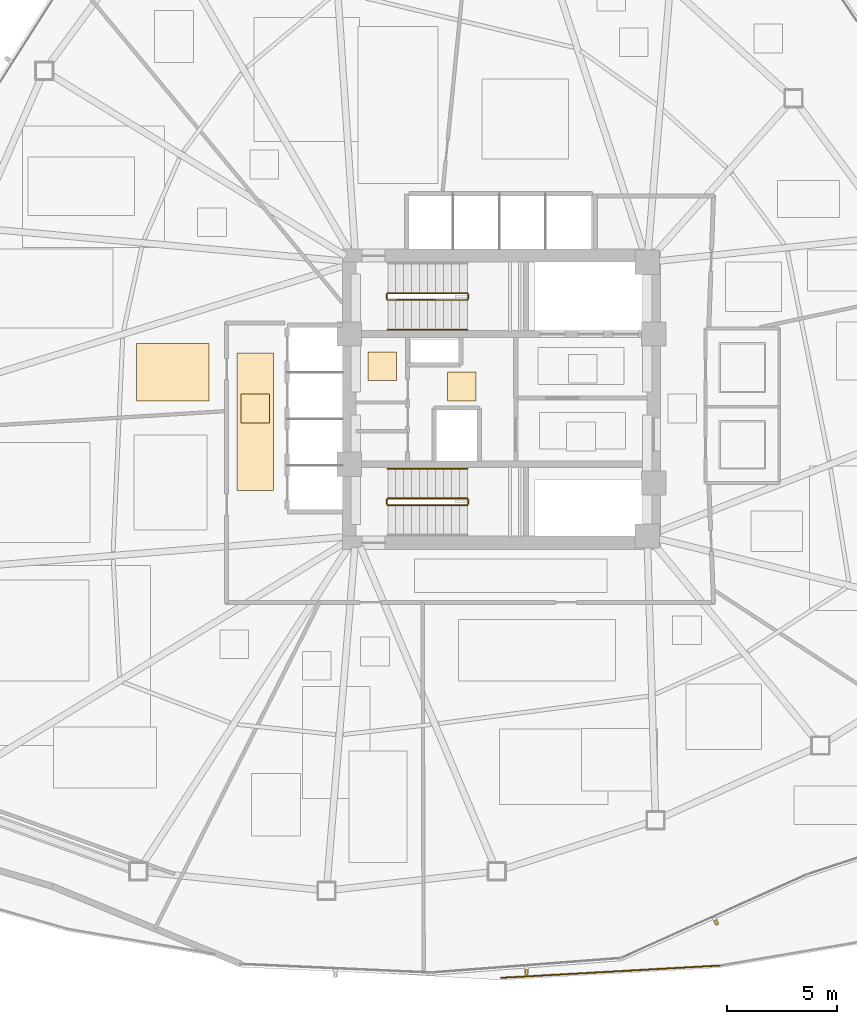
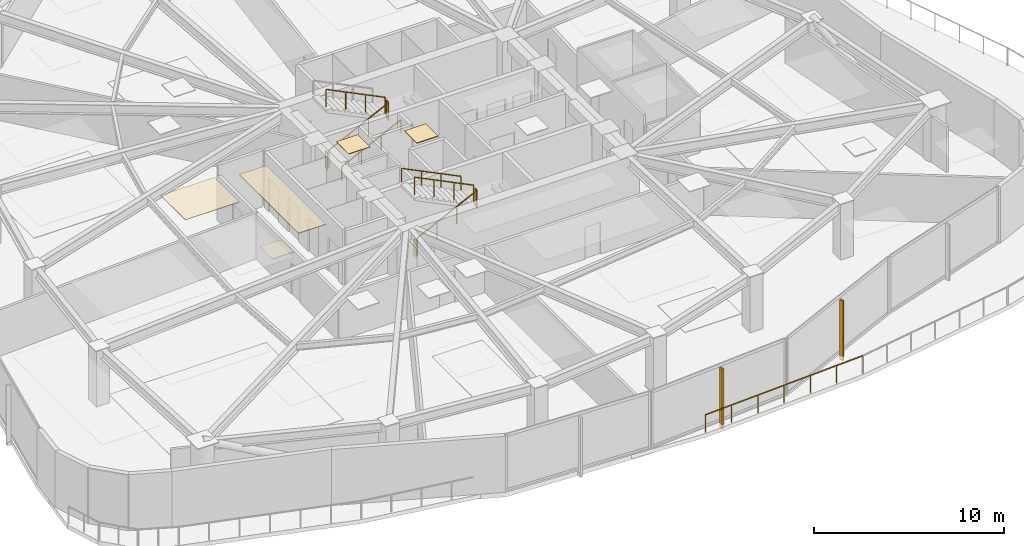
# One storey, part 15 of 19: 11 railings, 5 coverings, 2 shading devices.
"""IFC4 building model written with IfcOpenShell, lengths in metres."""

import ifcopenshell
import ifcopenshell.guid

model = None  # the IFC model being written
_history = None  # IfcOwnerHistory: only IFC2X3 demands one
_inside = {}  # id of a spatial element -> (the spatial element, [elements in it])
_under = {}  # id of a project, library or spatial element -> (it, [spatial elements below it])
_declared = {}  # id of a project -> (the project, [libraries it declares])
_typed = {}  # id of a type object -> (the type object, [elements of that type])
_made_of = {}  # id of a material, layer set ... -> (it, [elements and type objects made of it])


def new_model(schema):
    """Start an empty IFC model of exactly this schema.

    Asked for "IFC4X3", IfcOpenShell would pick the latest addendum, in which some entities
    have other attributes; the version numbers below select the first issue.
    IFC2X3 requires an IfcOwnerHistory on every rooted entity: one is made here for all.
    """
    global model, _history
    if schema == "IFC4X3":
        model = ifcopenshell.file(schema_version=(4, 3, 0, 0))
    else:
        model = ifcopenshell.file(schema=schema)
    _inside.clear()
    _under.clear()
    _declared.clear()
    _typed.clear()
    _made_of.clear()
    _history = None
    if model.schema == "IFC2X3":
        org = make("IfcOrganization", Name="unknown")
        user = make(
            "IfcPersonAndOrganization",
            ThePerson=make("IfcPerson", FamilyName="unknown"),
            TheOrganization=org,
        )
        app = make(
            "IfcApplication",
            ApplicationDeveloper=org,
            Version="unknown",
            ApplicationFullName="unknown",
            ApplicationIdentifier="unknown",
        )
        _history = make(
            "IfcOwnerHistory",
            OwningUser=user,
            OwningApplication=app,
            ChangeAction="ADDED",
            CreationDate=0,
        )
    return model


def make(cls, **values):
    """One entity of the class cls with the attributes given. An attribute that is None is left unset."""
    return model.create_entity(
        cls, **{name: value for name, value in values.items() if value is not None}
    )


def rooted(cls, **values):
    """An entity with a GlobalId (a new one), such as an element, a storey or a relation."""
    return make(cls, GlobalId=ifcopenshell.guid.new(), OwnerHistory=_history, **values)


def si_unit(unit_type, name, prefix=None):
    """IfcSIUnit, for example si_unit("LENGTHUNIT", "METRE", prefix="MILLI")."""
    return make("IfcSIUnit", UnitType=unit_type, Prefix=prefix, Name=name)


def assignment(units):
    """IfcUnitAssignment: the units of a project."""
    return None if units is None else make("IfcUnitAssignment", Units=units)


def point(xyz):
    """IfcCartesianPoint."""
    return None if xyz is None else make("IfcCartesianPoint", Coordinates=xyz)


def direction(xyz):
    """IfcDirection."""
    return None if xyz is None else make("IfcDirection", DirectionRatios=xyz)


def frame(location, z_axis=None, x_axis=None):
    """IfcAxis2Placement3D, a coordinate frame: its origin and axes. An axis left out is left unset."""
    return make(
        "IfcAxis2Placement3D",
        Location=point(location),
        Axis=direction(z_axis),
        RefDirection=direction(x_axis),
    )


def frame_2d(location, x_axis=None):
    """IfcAxis2Placement2D, a coordinate frame in the plane: its origin and x axis."""
    return make(
        "IfcAxis2Placement2D", Location=point(location), RefDirection=direction(x_axis)
    )


def origin():
    """The frame at (0, 0, 0) with its axes left unset."""
    return frame((0.0, 0.0, 0.0))


def origin_2d():
    """The frame at (0, 0) in the plane with its x axis left unset."""
    return frame_2d((0.0, 0.0))


def place(relative_to, where):
    """IfcLocalPlacement: puts the frame where relative to a parent placement (None: the world)."""
    return make(
        "IfcLocalPlacement", PlacementRelTo=relative_to, RelativePlacement=where
    )


def context(
    kind, dimensions, precision=None, world=None, true_north=None, identifier=None
):
    """IfcGeometricRepresentationContext, for example the 3D "Model" context."""
    return make(
        "IfcGeometricRepresentationContext",
        ContextIdentifier=identifier,
        ContextType=kind,
        CoordinateSpaceDimension=dimensions,
        Precision=precision,
        WorldCoordinateSystem=world,
        TrueNorth=true_north,
    )


def subcontext(parent, identifier, kind, view, scale=None):
    """IfcGeometricRepresentationSubContext, for example "Body" below "Model"."""
    return make(
        "IfcGeometricRepresentationSubContext",
        ContextIdentifier=identifier,
        ContextType=kind,
        ParentContext=parent,
        TargetScale=scale,
        TargetView=view,
    )


def project(units=None, contexts=None):
    """IfcProject with its units and contexts."""
    return rooted(
        "IfcProject",
        Name="project",
        RepresentationContexts=contexts,
        UnitsInContext=assignment(units),
    )


def spatial(cls, under=None, at=None, **own):
    """A site, building, storey or space (cls), placed at a placement, below another one or the project."""
    s = rooted(cls, ObjectPlacement=at, **own)
    if under is not None:
        _under.setdefault(under.id(), (under, []))[1].append(s)
    return s


def polyline(points):
    """IfcPolyline through the points."""
    return make("IfcPolyline", Points=[point(p) for p in points])


def profile(cls, at=None, kind="AREA", **sizes):
    """A parametric profile (cls). Its sizes go by their IFC names, for example OverallWidth=200.0."""
    return make(cls, ProfileType=kind, Position=at, **sizes)


def rectangle(**sizes):
    """IfcRectangleProfileDef."""
    return profile("IfcRectangleProfileDef", **sizes)


def outline(outer, holes=None, kind="AREA"):
    """IfcArbitraryClosedProfileDef: a profile drawn as a closed curve; with holes, ...WithVoids."""
    if holes is None:
        return make("IfcArbitraryClosedProfileDef", ProfileType=kind, OuterCurve=outer)
    return make(
        "IfcArbitraryProfileDefWithVoids",
        ProfileType=kind,
        OuterCurve=outer,
        InnerCurves=holes,
    )


def extrude(swept, where, along, depth):
    """IfcExtrudedAreaSolid: the profile swept, set in the frame where, extruded along a direction by depth."""
    return make(
        "IfcExtrudedAreaSolid",
        SweptArea=swept,
        Position=where,
        ExtrudedDirection=direction(along),
        Depth=depth,
    )


def shape(context_of_items, identifier, shape_type, items):
    """IfcShapeRepresentation: the items that make up one representation, for example the "Body"."""
    return make(
        "IfcShapeRepresentation",
        ContextOfItems=context_of_items,
        RepresentationIdentifier=identifier,
        RepresentationType=shape_type,
        Items=items,
    )


def source(mapping_origin, context_of_items, identifier, shape_type, items):
    """IfcRepresentationMap: a shape defined once, which mapped items show again and again."""
    return make(
        "IfcRepresentationMap",
        MappingOrigin=mapping_origin,
        MappedRepresentation=shape(context_of_items, identifier, shape_type, items),
    )


def transform(
    local_origin,
    x_axis=None,
    y_axis=None,
    z_axis=None,
    scale=None,
    scale2=None,
    scale3=None,
    uniform=True,
):
    """IfcCartesianTransformationOperator3D, or its non-uniform kind. x_axis, y_axis, z_axis: its Axis1, 2, 3."""
    if uniform:
        return make(
            "IfcCartesianTransformationOperator3D",
            Axis1=direction(x_axis),
            Axis2=direction(y_axis),
            LocalOrigin=point(local_origin),
            Scale=scale,
            Axis3=direction(z_axis),
        )
    return make(
        "IfcCartesianTransformationOperator3DnonUniform",
        Axis1=direction(x_axis),
        Axis2=direction(y_axis),
        LocalOrigin=point(local_origin),
        Scale=scale,
        Axis3=direction(z_axis),
        Scale2=scale2,
        Scale3=scale3,
    )


def mapped(mapping_source, mapping_target):
    """IfcMappedItem: shows the shape of a source again, moved by a transform."""
    return make(
        "IfcMappedItem", MappingSource=mapping_source, MappingTarget=mapping_target
    )


def material(Name=None, Category=None):
    """IfcMaterial."""
    return make("IfcMaterial", Name=Name, Category=Category)


def layer(
    of_material, thickness, ventilated=None, Name=None, Category=None, Priority=None
):
    """IfcMaterialLayer: one layer of a wall or slab, of a material (None: an air gap)."""
    return make(
        "IfcMaterialLayer",
        Material=of_material,
        LayerThickness=thickness,
        IsVentilated=ventilated,
        Name=Name,
        Category=Category,
        Priority=Priority,
    )


def layer_set(layers, Name=None):
    """IfcMaterialLayerSet."""
    return make("IfcMaterialLayerSet", MaterialLayers=layers, LayerSetName=Name)


def made_of(thing, what):
    """Note that an element or type object is made of a material, layer set ...; save() writes the relation."""
    if what is not None:
        _made_of.setdefault(what.id(), (what, []))[1].append(thing)
    return thing


def type_object(cls, material=None, **own):
    """A type object (cls), such as IfcWallType, which elements share."""
    return made_of(rooted(cls, **own), material)


def type_shapes(of_type, sources):
    """Give a type object the sources (RepresentationMaps) that its elements show as mapped items."""
    of_type.RepresentationMaps = sources


def element(
    cls,
    number,
    at=None,
    inside=None,
    cuts=None,
    type_object=None,
    material=None,
    context=None,
    identifier="Body",
    shape_type=None,
    held_by="IfcProductDefinitionShape",
    body=None,
    shapes=None,
    **own,
):
    """One element of the class cls, such as IfcWall. Its Tag is "e" and its number.

    at: its placement. inside: the storey or other place that contains it. cuts: it is an
    opening in that element (IfcRelVoidsElement). A single representation is given by context,
    identifier, shape_type and body (its items); several are given by shapes. held_by: the class
    of the entity that holds the representations. save() writes the other relations.
    """
    e = rooted(cls, Tag="e%d" % number, ObjectPlacement=at, **own)
    if body is not None:
        shapes = [shape(context, identifier, shape_type, body)]
    if shapes is not None:
        e.Representation = make(held_by, Representations=shapes)
    if inside is not None:
        _inside.setdefault(inside.id(), (inside, []))[1].append(e)
    if cuts is not None:
        rooted(
            "IfcRelVoidsElement", RelatingBuildingElement=cuts, RelatedOpeningElement=e
        )
    if type_object is not None:
        _typed.setdefault(type_object.id(), (type_object, []))[1].append(e)
    return made_of(e, material)


def aggregate(whole, parts):
    """IfcRelAggregates: a whole, such as a stair, and the parts it consists of."""
    return rooted("IfcRelAggregates", RelatingObject=whole, RelatedObjects=parts)


def save(model, path):
    """Write the relations noted so far, then the file.

    IfcRelAggregates (storeys below a building ...), IfcRelContainedInSpatialStructure (elements
    in a storey), IfcRelDefinesByType, IfcRelAssociatesMaterial and IfcRelDeclares: one each for
    every whole, place, type object, material and project.
    """
    for whole, parts in _under.values():
        aggregate(whole, parts)
    for where, things in _inside.values():
        rooted(
            "IfcRelContainedInSpatialStructure",
            RelatedElements=things,
            RelatingStructure=where,
        )
    for kind, things in _typed.values():
        rooted("IfcRelDefinesByType", RelatedObjects=things, RelatingType=kind)
    for what, things in _made_of.values():
        rooted("IfcRelAssociatesMaterial", RelatedObjects=things, RelatingMaterial=what)
    for by, libraries in _declared.values():
        rooted("IfcRelDeclares", RelatingContext=by, RelatedDefinitions=libraries)
    model.write(path)


model = new_model("IFC4")

# Units and contexts
model_context = context("Model", 3, precision=1e-05, world=origin(), true_north=direction((0.0, 1.0)))
body_context = subcontext(model_context, "Body", "Model", "MODEL_VIEW")
ifc_project = project(units=[si_unit("LENGTHUNIT", "METRE"), si_unit("AREAUNIT", "SQUARE_METRE"), si_unit("VOLUMEUNIT", "CUBIC_METRE"), si_unit("PLANEANGLEUNIT", "RADIAN"), si_unit("MASSUNIT", "GRAM", prefix="KILO")], contexts=[model_context])

# Site, building, storey
site_placement = place(None, origin())
site = spatial("IfcSite", under=ifc_project, at=site_placement, CompositionType="ELEMENT")
building_placement = place(site_placement, origin())
building = spatial("IfcBuilding", under=site, at=building_placement, Name="Tavelor Broadcast Tower", CompositionType="ELEMENT")
storey_placement = place(building_placement, frame((0.0, 0.0, 27.60009765625)))
storey = spatial("IfcBuildingStorey", under=building, at=storey_placement, Name="L05", CompositionType="ELEMENT", Elevation=27.60009765625)

# Covering
ifc_material_1 = material(Name="Copper-Bronze Anodized Aluminium", Category="aluminium")
ifc_layer_1 = layer(ifc_material_1, 0.044921875)
ifc_layer_set_1 = layer_set([ifc_layer_1], Name="Copper-Bronze Anodized Aluminium")
covering_type_1 = type_object("IfcCoveringType", Name="Anodised Bronze Linear Slatted Concourse Ceiling 45 mm", PredefinedType="CEILING", material=ifc_layer_set_1)
covering_1_placement = place(storey_placement, frame((0.0, 0.0, 3.554931640625)))
element("IfcCovering", 1, at=covering_1_placement, inside=storey, type_object=covering_type_1, Name="L05 Suspended Acoustic Ceiling 0121", PredefinedType="CEILING", context=body_context, shape_type="SweptSolid", body=[
    extrude(outline(polyline([(38.01611328125, 40.868896484375), (39.683837890625, 40.868896484375), (39.683837890625, 47.096923828125), (38.01611328125, 47.096923828125), (38.01611328125, 40.868896484375)])), origin(), (0.0, 0.0, 1.0), 0.044921875),
])

# Railings
ifc_material_2 = material(Name="Steel S355", Category="steel")
railing_type_1 = type_object("IfcRailingType", Name="Continuous Brushed Stainless Handrail 900 mm", PredefinedType="HANDRAIL", material=ifc_material_2)
railing_1_placement = place(storey_placement, frame((44.85009765625, 48.14990234375, 0.17724609375)))
element("IfcRailing", 2, at=railing_1_placement, inside=storey, type_object=railing_type_1, Name="L05 ST1 stair handrail 1", PredefinedType="HANDRAIL", context=body_context, shape_type="SweptSolid", body=[
    extrude(rectangle(XDim=0.048095703125, YDim=0.048095703125, at=origin_2d()), frame((0.0, 0.0, 0.8759765625), z_axis=(0.897124305991, 0.0, 0.441778201817), x_axis=(0.0, 1.0, 0.0)), (0.0, 0.0, 1.0), 4.0126953125),
    extrude(rectangle(XDim=0.0419921875, YDim=0.0419921875, at=origin_2d()), origin(), (0.0, 0.0, 1.0), 0.851806640625),
    extrude(rectangle(XDim=0.0419921875, YDim=0.0419921875, at=origin_2d()), frame((1.199951171875, 0.0, 0.5908203125)), (0.0, 0.0, 1.0), 0.851806640625),
    extrude(rectangle(XDim=0.0419921875, YDim=0.0419921875, at=origin_2d()), frame((2.39990234375, 0.0, 1.181884765625)), (0.0, 0.0, 1.0), 0.851806640625),
    extrude(rectangle(XDim=0.0419921875, YDim=0.0419921875, at=origin_2d()), frame((3.599853515625, 0.0, 1.772705078125)), (0.0, 0.0, 1.0), 0.851806640625),
])
railing_2_placement = place(storey_placement, frame((48.449951171875, 41.85009765625, 2.127197265625)))
element("IfcRailing", 3, at=railing_2_placement, inside=storey, type_object=railing_type_1, Name="L05 ST2 stair handrail 2", PredefinedType="HANDRAIL", context=body_context, shape_type="SweptSolid", body=[
    extrude(rectangle(XDim=0.048095703125, YDim=0.048095703125, at=origin_2d()), frame((0.0, 0.0, 0.8759765625), z_axis=(-0.897124305991, 0.0, 0.441778201817), x_axis=(0.0, -1.0, 0.0)), (0.0, 0.0, 1.0), 4.0126953125),
    extrude(rectangle(XDim=0.0419921875, YDim=0.0419921875, at=origin_2d()), origin(), (0.0, 0.0, 1.0), 0.851806640625),
    extrude(rectangle(XDim=0.0419921875, YDim=0.0419921875, at=origin_2d()), frame((-1.199951171875, 0.0, 0.5908203125)), (0.0, 0.0, 1.0), 0.851806640625),
    extrude(rectangle(XDim=0.0419921875, YDim=0.0419921875, at=origin_2d()), frame((-2.39990234375, 0.0, 1.181884765625)), (0.0, 0.0, 1.0), 0.851806640625),
    extrude(rectangle(XDim=0.0419921875, YDim=0.0419921875, at=origin_2d()), frame((-3.599853515625, 0.0, 1.772705078125)), (0.0, 0.0, 1.0), 0.851806640625),
])

# Coverings
ifc_material_3 = material(Name="Honed Natural Limestone Tile", Category="masonry")
ifc_layer_2 = layer(ifc_material_3, 0.030029296875)
ifc_layer_set_2 = layer_set([ifc_layer_2], Name="Honed Natural Limestone Tile")
covering_type_2 = type_object("IfcCoveringType", Name="Honed Jerusalem Limestone Concourse Flooring 30 mm", PredefinedType="FLOORING", material=ifc_layer_set_2)
covering_2_placement = place(storey_placement, origin())
element("IfcCovering", 4, at=covering_2_placement, inside=storey, type_object=covering_type_2, Name="L05 Broadcast Floor Finish 0052", PredefinedType="FLOORING", context=body_context, shape_type="SweptSolid", body=[
    extrude(outline(polyline([(38.199951171875, 43.925048828125), (39.5, 43.925048828125), (39.5, 45.22509765625), (38.199951171875, 45.22509765625), (38.199951171875, 43.925048828125)])), origin(), (0.0, 0.0, 1.0), 0.02978515625),
])
ifc_material_4 = material(Name="Architectural Anodized Aluminium", Category="aluminium")
ifc_layer_3 = layer(ifc_material_4, 0.030029296875)
ifc_layer_set_3 = layer_set([ifc_layer_3], Name="Architectural Anodized Aluminium")
covering_type_3 = type_object("IfcCoveringType", Name="Moisture-Resistant Washroom Ceiling 30 mm", PredefinedType="CEILING", material=ifc_layer_set_3)
covering_3_placement = place(storey_placement, frame((0.0, 0.0, 3.56982421875)))
element("IfcCovering", 5, at=covering_3_placement, inside=storey, type_object=covering_type_3, Name="L05 Suspended Acoustic Ceiling 0118", PredefinedType="CEILING", context=body_context, shape_type="SweptSolid", body=[
    extrude(outline(polyline([(43.951416015625, 45.843017578125), (45.25146484375, 45.843017578125), (45.25146484375, 47.14306640625), (43.951416015625, 47.14306640625), (43.951416015625, 45.843017578125)])), origin(), (0.0, 0.0, 1.0), 0.030029296875),
])

# Railings
railing_type_2 = type_object("IfcRailingType", Name="Planted Terrace Laminated Glass Balustrade 1150 mm", PredefinedType="BALUSTRADE", material=ifc_material_2)
railing_3_placement = place(storey_placement, frame((49.994384765625, 18.79296875, 0.0)))
element("IfcRailing", 6, at=railing_3_placement, inside=storey, type_object=railing_type_2, Name="L05 Cascading Garden Terrace 1 Balustrade #124", PredefinedType="BALUSTRADE", context=body_context, shape_type="SweptSolid", body=[
    extrude(rectangle(XDim=0.048095703125, YDim=0.048095703125, at=origin_2d()), frame((0.0, 0.0, 1.1259765625), z_axis=(0.998425425019, 0.056095192973, 0.0), x_axis=(-0.056095192973, 0.998425425019, 0.0)), (0.0, 0.0, 1.0), 9.90576171875),
    extrude(rectangle(XDim=0.0419921875, YDim=0.0419921875, at=origin_2d()), origin(), (0.0, 0.0, 1.0), 1.101806640625),
    extrude(rectangle(XDim=0.0419921875, YDim=0.0419921875, at=origin_2d()), frame((1.6484375, 0.092529296875, 0.0)), (0.0, 0.0, 1.0), 1.101806640625),
    extrude(rectangle(XDim=0.0419921875, YDim=0.0419921875, at=origin_2d()), frame((3.296630859375, 0.185302734375, 0.0)), (0.0, 0.0, 1.0), 1.101806640625),
    extrude(rectangle(XDim=0.0419921875, YDim=0.0419921875, at=origin_2d()), frame((4.945068359375, 0.27783203125, 0.0)), (0.0, 0.0, 1.0), 1.101806640625),
    extrude(rectangle(XDim=0.0419921875, YDim=0.0419921875, at=origin_2d()), frame((6.593505859375, 0.370361328125, 0.0)), (0.0, 0.0, 1.0), 1.101806640625),
    extrude(rectangle(XDim=0.0419921875, YDim=0.0419921875, at=origin_2d()), frame((8.24169921875, 0.463134765625, 0.0)), (0.0, 0.0, 1.0), 1.101806640625),
    extrude(rectangle(XDim=0.0419921875, YDim=0.0419921875, at=origin_2d()), frame((9.89013671875, 0.5556640625, 0.0)), (0.0, 0.0, 1.0), 1.101806640625),
])
railing_type_3 = type_object("IfcRailingType", Name="Stairwell Steel Safety Guardrail 1150 mm", PredefinedType="GUARDRAIL", material=ifc_material_2)
railing_4_placement = place(storey_placement, frame((44.85009765625, 49.5, 0.17724609375)))
element("IfcRailing", 7, at=railing_4_placement, inside=storey, type_object=railing_type_3, Name="L05 ST1 stair guard 1", PredefinedType="GUARDRAIL", context=body_context, shape_type="SweptSolid", body=[
    extrude(rectangle(XDim=0.048095703125, YDim=0.048095703125, at=origin_2d()), frame((0.0, 0.0, 1.1259765625), z_axis=(0.897124305991, 0.0, 0.441778201817), x_axis=(0.0, 1.0, 0.0)), (0.0, 0.0, 1.0), 4.0126953125),
    extrude(rectangle(XDim=0.0419921875, YDim=0.0419921875, at=origin_2d()), origin(), (0.0, 0.0, 1.0), 1.101806640625),
    extrude(rectangle(XDim=0.0419921875, YDim=0.0419921875, at=origin_2d()), frame((1.199951171875, 0.0, 0.5908203125)), (0.0, 0.0, 1.0), 1.101806640625),
    extrude(rectangle(XDim=0.0419921875, YDim=0.0419921875, at=origin_2d()), frame((2.39990234375, 0.0, 1.181884765625)), (0.0, 0.0, 1.0), 1.101806640625),
    extrude(rectangle(XDim=0.0419921875, YDim=0.0419921875, at=origin_2d()), frame((3.599853515625, 0.0, 1.772705078125)), (0.0, 0.0, 1.0), 1.101806640625),
])
railing_5_placement = place(storey_placement, frame((48.5, 49.550048828125, 1.949951171875)))
element("IfcRailing", 8, at=railing_5_placement, inside=storey, type_object=railing_type_3, Name="L05 ST1 stair guard 2", PredefinedType="GUARDRAIL", context=body_context, shape_type="SweptSolid", body=[
    extrude(rectangle(XDim=0.048095703125, YDim=0.048095703125, at=origin_2d()), frame((0.0, 0.0, 1.1259765625), z_axis=(0.0, 1.0, 0.0), x_axis=(-1.0, 0.0, 0.0)), (0.0, 0.0, 1.0), 0.199951171875),
    extrude(rectangle(XDim=0.0419921875, YDim=0.0419921875, at=origin_2d()), origin(), (0.0, 0.0, 1.0), 1.101806640625),
    extrude(rectangle(XDim=0.0419921875, YDim=0.0419921875, at=origin_2d()), frame((0.0, 0.199951171875, 0.0)), (0.0, 0.0, 1.0), 1.101806640625),
])
railing_6_placement = place(storey_placement, frame((48.449951171875, 49.800048828125, 2.127197265625)))
element("IfcRailing", 9, at=railing_6_placement, inside=storey, type_object=railing_type_3, Name="L05 ST1 stair guard 3", PredefinedType="GUARDRAIL", context=body_context, shape_type="SweptSolid", body=[
    extrude(rectangle(XDim=0.048095703125, YDim=0.048095703125, at=origin_2d()), frame((0.0, 0.0, 1.1259765625), z_axis=(-0.897124305991, 0.0, 0.441778201817), x_axis=(0.0, -1.0, 0.0)), (0.0, 0.0, 1.0), 4.0126953125),
    extrude(rectangle(XDim=0.0419921875, YDim=0.0419921875, at=origin_2d()), origin(), (0.0, 0.0, 1.0), 1.101806640625),
    extrude(rectangle(XDim=0.0419921875, YDim=0.0419921875, at=origin_2d()), frame((-1.199951171875, 0.0, 0.5908203125)), (0.0, 0.0, 1.0), 1.101806640625),
    extrude(rectangle(XDim=0.0419921875, YDim=0.0419921875, at=origin_2d()), frame((-2.39990234375, 0.0, 1.181884765625)), (0.0, 0.0, 1.0), 1.101806640625),
    extrude(rectangle(XDim=0.0419921875, YDim=0.0419921875, at=origin_2d()), frame((-3.599853515625, 0.0, 1.772705078125)), (0.0, 0.0, 1.0), 1.101806640625),
])
railing_7_placement = place(storey_placement, frame((44.800048828125, 49.550048828125, 0.0)))
element("IfcRailing", 10, at=railing_7_placement, inside=storey, type_object=railing_type_3, Name="L05 ST1 stair guard 4", PredefinedType="GUARDRAIL", context=body_context, shape_type="SweptSolid", body=[
    extrude(rectangle(XDim=0.048095703125, YDim=0.048095703125, at=origin_2d()), frame((0.0, 0.0, 1.1259765625), z_axis=(0.0, 1.0, 0.0), x_axis=(-1.0, 0.0, 0.0)), (0.0, 0.0, 1.0), 0.199951171875),
    extrude(rectangle(XDim=0.0419921875, YDim=0.0419921875, at=origin_2d()), origin(), (0.0, 0.0, 1.0), 1.101806640625),
    extrude(rectangle(XDim=0.0419921875, YDim=0.0419921875, at=origin_2d()), frame((0.0, 0.199951171875, 0.0)), (0.0, 0.0, 1.0), 1.101806640625),
])
railing_8_placement = place(storey_placement, frame((44.85009765625, 40.199951171875, 0.17724609375)))
element("IfcRailing", 11, at=railing_8_placement, inside=storey, type_object=railing_type_3, Name="L05 ST2 stair guard 1", PredefinedType="GUARDRAIL", context=body_context, shape_type="SweptSolid", body=[
    extrude(rectangle(XDim=0.048095703125, YDim=0.048095703125, at=origin_2d()), frame((0.0, 0.0, 1.1259765625), z_axis=(0.897124305991, 0.0, 0.441778201817), x_axis=(0.0, 1.0, 0.0)), (0.0, 0.0, 1.0), 4.0126953125),
    extrude(rectangle(XDim=0.0419921875, YDim=0.0419921875, at=origin_2d()), origin(), (0.0, 0.0, 1.0), 1.101806640625),
    extrude(rectangle(XDim=0.0419921875, YDim=0.0419921875, at=origin_2d()), frame((1.199951171875, 0.0, 0.5908203125)), (0.0, 0.0, 1.0), 1.101806640625),
    extrude(rectangle(XDim=0.0419921875, YDim=0.0419921875, at=origin_2d()), frame((2.39990234375, 0.0, 1.181884765625)), (0.0, 0.0, 1.0), 1.101806640625),
    extrude(rectangle(XDim=0.0419921875, YDim=0.0419921875, at=origin_2d()), frame((3.599853515625, 0.0, 1.772705078125)), (0.0, 0.0, 1.0), 1.101806640625),
])
railing_9_placement = place(storey_placement, frame((48.5, 40.25, 1.949951171875)))
element("IfcRailing", 12, at=railing_9_placement, inside=storey, type_object=railing_type_3, Name="L05 ST2 stair guard 2", PredefinedType="GUARDRAIL", context=body_context, shape_type="SweptSolid", body=[
    extrude(rectangle(XDim=0.048095703125, YDim=0.048095703125, at=origin_2d()), frame((0.0, 0.0, 1.1259765625), z_axis=(0.0, 1.0, 0.0), x_axis=(-1.0, 0.0, 0.0)), (0.0, 0.0, 1.0), 0.199951171875),
    extrude(rectangle(XDim=0.0419921875, YDim=0.0419921875, at=origin_2d()), origin(), (0.0, 0.0, 1.0), 1.101806640625),
    extrude(rectangle(XDim=0.0419921875, YDim=0.0419921875, at=origin_2d()), frame((0.0, 0.199951171875, 0.0)), (0.0, 0.0, 1.0), 1.101806640625),
])
railing_10_placement = place(storey_placement, frame((48.449951171875, 40.5, 2.127197265625)))
element("IfcRailing", 13, at=railing_10_placement, inside=storey, type_object=railing_type_3, Name="L05 ST2 stair guard 3", PredefinedType="GUARDRAIL", context=body_context, shape_type="SweptSolid", body=[
    extrude(rectangle(XDim=0.048095703125, YDim=0.048095703125, at=origin_2d()), frame((0.0, 0.0, 1.1259765625), z_axis=(-0.897124305991, 0.0, 0.441778201817), x_axis=(0.0, -1.0, 0.0)), (0.0, 0.0, 1.0), 4.0126953125),
    extrude(rectangle(XDim=0.0419921875, YDim=0.0419921875, at=origin_2d()), origin(), (0.0, 0.0, 1.0), 1.101806640625),
    extrude(rectangle(XDim=0.0419921875, YDim=0.0419921875, at=origin_2d()), frame((-1.199951171875, 0.0, 0.5908203125)), (0.0, 0.0, 1.0), 1.101806640625),
    extrude(rectangle(XDim=0.0419921875, YDim=0.0419921875, at=origin_2d()), frame((-2.39990234375, 0.0, 1.181884765625)), (0.0, 0.0, 1.0), 1.101806640625),
    extrude(rectangle(XDim=0.0419921875, YDim=0.0419921875, at=origin_2d()), frame((-3.599853515625, 0.0, 1.772705078125)), (0.0, 0.0, 1.0), 1.101806640625),
])
railing_11_placement = place(storey_placement, frame((44.800048828125, 40.25, 0.0)))
element("IfcRailing", 14, at=railing_11_placement, inside=storey, type_object=railing_type_3, Name="L05 ST2 stair guard 4", PredefinedType="GUARDRAIL", context=body_context, shape_type="SweptSolid", body=[
    extrude(rectangle(XDim=0.048095703125, YDim=0.048095703125, at=origin_2d()), frame((0.0, 0.0, 1.1259765625), z_axis=(0.0, 1.0, 0.0), x_axis=(-1.0, 0.0, 0.0)), (0.0, 0.0, 1.0), 0.199951171875),
    extrude(rectangle(XDim=0.0419921875, YDim=0.0419921875, at=origin_2d()), origin(), (0.0, 0.0, 1.0), 1.101806640625),
    extrude(rectangle(XDim=0.0419921875, YDim=0.0419921875, at=origin_2d()), frame((0.0, 0.199951171875, 0.0)), (0.0, 0.0, 1.0), 1.101806640625),
])

# Coverings
ifc_material_5 = material(Name="Acoustic Mineral Fibre Tile")
ifc_layer_4 = layer(ifc_material_5, 0.0400390625)
ifc_layer_set_4 = layer_set([ifc_layer_4], Name="Acoustic Mineral Fibre Tile")
covering_type_4 = type_object("IfcCoveringType", Name="Suspended Acoustic Mineral-Fibre Office Ceiling 40 mm", PredefinedType="CEILING", material=ifc_layer_set_4)
covering_4_placement = place(storey_placement, frame((0.0, 0.0, 3.559814453125)))
element("IfcCovering", 15, at=covering_4_placement, inside=storey, type_object=covering_type_4, Name="L05 Suspended Acoustic Ceiling 0117", PredefinedType="CEILING", context=body_context, shape_type="SweptSolid", body=[
    extrude(outline(polyline([(47.544921875, 44.919921875), (48.844970703125, 44.919921875), (48.844970703125, 46.219970703125), (47.544921875, 46.219970703125), (47.544921875, 44.919921875)])), origin(), (0.0, 0.0, 1.0), 0.0400390625),
])
covering_5_placement = place(storey_placement, frame((0.0, 0.0, 3.559814453125)))
element("IfcCovering", 16, at=covering_5_placement, inside=storey, type_object=covering_type_4, Name="L05 Suspended Acoustic Ceiling 0140", PredefinedType="CEILING", context=body_context, shape_type="SweptSolid", body=[
    extrude(outline(polyline([(33.478515625, 44.911865234375), (36.747802734375, 44.911865234375), (36.747802734375, 47.515869140625), (33.478515625, 47.515869140625), (33.478515625, 44.911865234375)])), origin(), (0.0, 0.0, 1.0), 0.0400390625),
])

# Shading devices
ifc_material_6 = material(Name="Kiln-Fired Glazed Terracotta", Category="masonry")
shading_device_type = type_object("IfcShadingDeviceType", Name="Extruded Terracotta Baguette Sun-Screen 110x240", PredefinedType="JALOUSIE", material=ifc_material_6)
shared_shape = source(origin(), body_context, "Body", "SweptSolid", [
    extrude(rectangle(XDim=0.110107421875, YDim=0.239990234375, at=origin_2d()), origin(), (0.0, 0.0, 1.0), 3.840087890625),
])
type_shapes(shading_device_type, [shared_shape])
for number, where, z_axis, x_axis, name in (
    (17, (51.135986328125, 19.05615234375, -0.26025390625), (0.0, 0.0, 1.0), (0.99709278554, 0.076196962034, 0.0), "L05 Terracotta Baguette Fin 18"),
    (18, (59.72802734375, 21.29931640625, -0.26025390625), (0.0, 0.0, 1.0), (0.912048557214, 0.410082222589, 0.0), "L05 Terracotta Baguette Fin 19"),
):
    element("IfcShadingDevice", number, at=place(storey_placement, frame(where, z_axis=z_axis, x_axis=x_axis)), inside=storey, type_object=shading_device_type, Name=name, PredefinedType="JALOUSIE", context=body_context, shape_type="MappedRepresentation", body=[
        mapped(shared_shape, transform((0.0, 0.0, 0.0), scale=1.0)),
    ])

save(model, "model.ifc")
